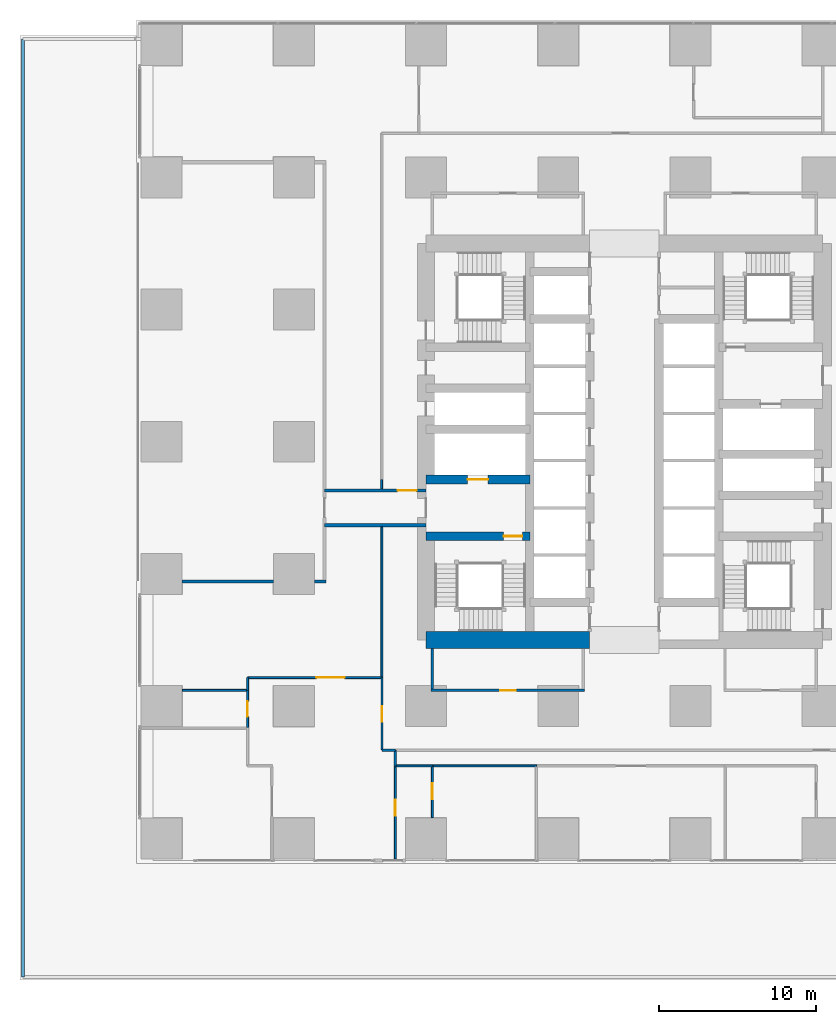
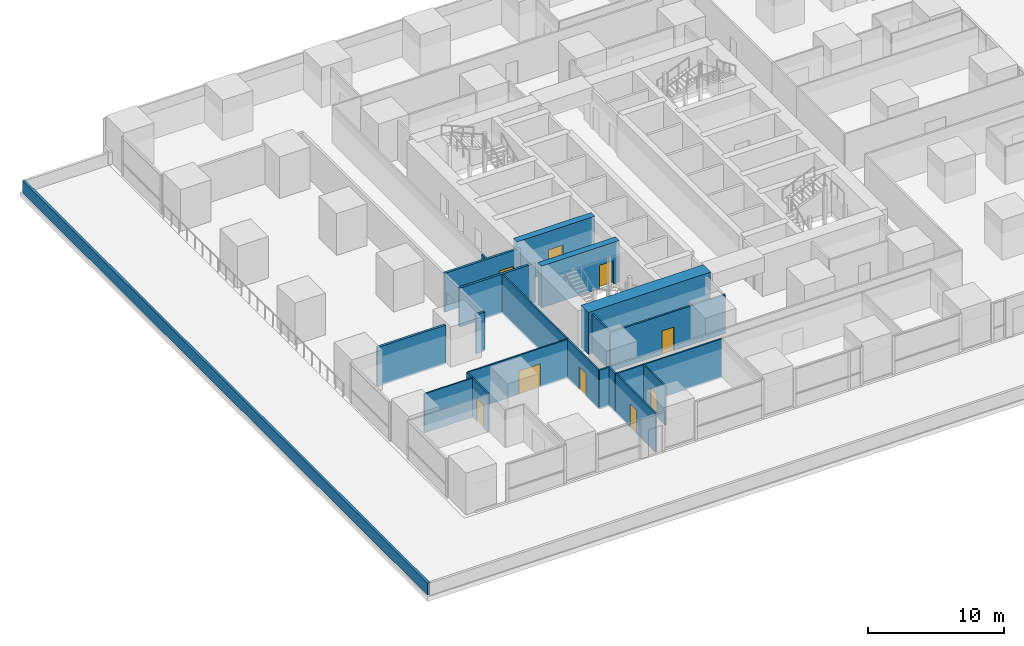
# One storey, part 20 of 35: 23 walls, 9 doors, 9 openings.
"""IFC4 building model written with IfcOpenShell, lengths in metres."""

from ifc_helpers import new_model, si_unit, direction, frame, frame_2d, origin, place, context, subcontext, project, spatial, rectangle, extrude, material, layer, layer_set, type_object, element, fill, save


model = new_model("IFC4")

# Units and contexts
model_context = context("Model", 3, precision=1e-05, world=origin(), true_north=direction((0.0, 1.0)))
body_context = subcontext(model_context, "Body", "Model", "MODEL_VIEW")
ifc_project = project(units=[si_unit("LENGTHUNIT", "METRE"), si_unit("AREAUNIT", "SQUARE_METRE"), si_unit("VOLUMEUNIT", "CUBIC_METRE"), si_unit("PLANEANGLEUNIT", "RADIAN"), si_unit("MASSUNIT", "GRAM", prefix="KILO")], contexts=[model_context])

# Site, building, storey
site_placement = place(None, origin())
site = spatial("IfcSite", under=ifc_project, at=site_placement, CompositionType="ELEMENT")
building_placement = place(site_placement, origin())
building = spatial("IfcBuilding", under=site, at=building_placement, Name="Rekha Terrace Tower", CompositionType="ELEMENT")
storey_placement = place(building_placement, frame((0.0, 0.0, 25.39990234375)))
storey = spatial("IfcBuildingStorey", under=building, at=storey_placement, Name="L05", CompositionType="ELEMENT", Elevation=25.39990234375)

# Wall, opening, door
ifc_material_1 = material(Name="Concrete M70", Category="concrete")
ifc_layer_1 = layer(ifc_material_1, 0.550048828125)
ifc_layer_set_1 = layer_set([ifc_layer_1], Name="Concrete M70")
wall_type_1 = type_object("IfcWallType", Name="CI1 550 core internal shear wall", PredefinedType="SHEAR", material=ifc_layer_set_1)
wall_1_placement = place(storey_placement, frame((25.199951171875, 27.60009765625, 0.0), z_axis=(0.0, 0.0, 1.0), x_axis=(1.0, 0.0, 0.0)))
wall_1 = element("IfcWall", 1, at=wall_1_placement, inside=storey, type_object=wall_type_1, Name="Core wall Y276W L05", PredefinedType="SHEAR", context=body_context, shape_type="SweptSolid", body=[
    extrude(rectangle(XDim=6.60009765625, YDim=0.550048828125, at=frame_2d((3.300048828125, 0.0))), origin(), (0.0, 0.0, 1.0), 3.75),
])
opening_1_placement = place(wall_1_placement, frame((4.925048828125, 0.0, 0.0)))
opening_1 = element("IfcOpeningElement", 2, at=opening_1_placement, cuts=wall_1, Name="Opening D1", PredefinedType="OPENING", context=body_context, shape_type="SweptSolid", body=[
    extrude(rectangle(XDim=1.199951171875, YDim=2.10009765625, at=frame_2d((0.60009765625, 1.050048828125))), frame((0.0, 0.284912109375, 0.0), z_axis=(0.0, -1.0, 0.0), x_axis=(1.0, 0.0, 0.0)), (0.0, 0.0, 1.0), 0.570068359375),
])
ifc_material_2 = material(Name="Steel fire door", Category="steel")
door_type_1 = type_object("IfcDoorType", Name="D1 1200x2100 stair fire door", OperationType="SINGLE_SWING_RIGHT", PredefinedType="DOOR", material=ifc_material_2)
door_1_placement = place(opening_1_placement, origin())
door_1 = element("IfcDoor", 3, at=door_1_placement, inside=storey, type_object=door_type_1, Name="Stair ST1 door L05", OperationType="SINGLE_SWING_RIGHT", OverallHeight=2.10009765625, OverallWidth=1.199951171875, PredefinedType="DOOR", context=body_context, shape_type="SweptSolid", body=[
    extrude(rectangle(XDim=1.199951171875, YDim=2.10009765625, at=frame_2d((0.60009765625, 1.050048828125))), frame((0.0, 0.02490234375, 0.0), z_axis=(0.0, -1.0, 0.0), x_axis=(1.0, 0.0, 0.0)), (0.0, 0.0, 1.0), 0.050048828125),
])
fill(opening_1, door_1)

wall_2_placement = place(storey_placement, frame((25.199951171875, 31.199951171875, 0.0), z_axis=(0.0, 0.0, 1.0), x_axis=(1.0, 0.0, 0.0)))
wall_2 = element("IfcWall", 4, at=wall_2_placement, inside=storey, type_object=wall_type_1, Name="Core wall Y312W L05", PredefinedType="SHEAR", context=body_context, shape_type="SweptSolid", body=[
    extrude(rectangle(XDim=6.60009765625, YDim=0.550048828125, at=frame_2d((3.300048828125, 0.0))), origin(), (0.0, 0.0, 1.0), 3.75),
])
opening_2_placement = place(wall_2_placement, frame((2.64990234375, 0.0, 0.0)))
opening_2 = element("IfcOpeningElement", 5, at=opening_2_placement, cuts=wall_2, Name="Opening LD2", PredefinedType="OPENING", context=body_context, shape_type="SweptSolid", body=[
    extrude(rectangle(XDim=1.300048828125, YDim=2.10009765625, at=frame_2d((0.64990234375, 1.050048828125))), frame((0.0, 0.284912109375, 0.0), z_axis=(0.0, -1.0, 0.0), x_axis=(1.0, 0.0, 0.0)), (0.0, 0.0, 1.0), 0.570068359375),
])
ifc_material_3 = material(Name="Stainless steel sliding landing door", Category="steel")
door_type_2 = type_object("IfcDoorType", Name="LD2 1300x2100 fire lift landing door", OperationType="SLIDING_TO_LEFT", PredefinedType="USERDEFINED", material=ifc_material_3)
door_2_placement = place(opening_2_placement, origin())
door_2 = element("IfcDoor", 6, at=door_2_placement, inside=storey, type_object=door_type_2, Name="Lift FL1 landing door L05", ObjectType="LIFT LANDING DOOR", OperationType="SLIDING_TO_LEFT", OverallHeight=2.10009765625, OverallWidth=1.300048828125, PredefinedType="USERDEFINED", context=body_context, shape_type="SweptSolid", body=[
    extrude(rectangle(XDim=1.300048828125, YDim=2.10009765625, at=frame_2d((0.64990234375, 1.050048828125))), frame((0.0, 0.02490234375, 0.0), z_axis=(0.0, -1.0, 0.0), x_axis=(1.0, 0.0, 0.0)), (0.0, 0.0, 1.0), 0.050048828125),
])
fill(opening_2, door_2)

# Walls
ifc_material_4 = material(Name="Concrete M40", Category="concrete")
ifc_layer_2 = layer(ifc_material_4, 0.199951171875)
ifc_layer_set_2 = layer_set([ifc_layer_2], Name="Concrete M40")
wall_type_2 = type_object("IfcWallType", Name="PP1 parapet wall 200", PredefinedType="PARAPET", material=ifc_layer_set_2)
wall_3_placement = place(storey_placement, frame((-0.39990234375, 59.199951171875, 0.0), z_axis=(0.0, 0.0, 1.0), x_axis=(0.0, -1.0, 0.0)))
element("IfcWall", 7, at=wall_3_placement, inside=storey, type_object=wall_type_2, Name="Podium roof parapet", PredefinedType="PARAPET", context=body_context, shape_type="SweptSolid", body=[
    extrude(rectangle(XDim=59.599853515625, YDim=0.199951171875, at=frame_2d((29.7998046875, 0.0))), origin(), (0.0, 0.0, 1.0), 1.10009765625),
])
ifc_layer_3 = layer(ifc_material_1, 1.10009765625)
ifc_layer_set_3 = layer_set([ifc_layer_3], Name="Concrete M70")
wall_type_3 = type_object("IfcWallType", Name="SW1 1100 core outer shear wall", PredefinedType="SHEAR", material=ifc_layer_set_3)
wall_4_placement = place(storey_placement, frame((25.199951171875, 21.0, 0.0), z_axis=(0.0, 0.0, 1.0), x_axis=(1.0, 0.0, 0.0)))
element("IfcWall", 8, at=wall_4_placement, inside=storey, type_object=wall_type_3, Name="Core wall S1 L05", PredefinedType="SHEAR", context=body_context, shape_type="SweptSolid", body=[
    extrude(rectangle(XDim=10.400146484375, YDim=1.10009765625, at=frame_2d((5.2001953125, 0.0))), origin(), (0.0, 0.0, 1.0), 3.75),
])

# Wall, opening, door
ifc_material_5 = material(Name="Concrete block masonry, 1 hour", Category="masonry")
ifc_layer_4 = layer(ifc_material_5, 0.14990234375)
ifc_layer_set_4 = layer_set([ifc_layer_4], Name="Concrete block masonry, 1 hour")
wall_type_4 = type_object("IfcWallType", Name="WP2 150 tenancy partition", PredefinedType="PARTITIONING", material=ifc_layer_set_4)
wall_5_placement = place(storey_placement, frame((25.52490234375, 17.800048828125, 0.0), z_axis=(0.0, 0.0, 1.0), x_axis=(1.0, 0.0, 0.0)))
wall_5 = element("IfcWall", 9, at=wall_5_placement, inside=storey, type_object=wall_type_4, Name="Men's WC wall L05", PredefinedType="PARTITIONING", context=body_context, shape_type="SweptSolid", body=[
    extrude(rectangle(XDim=9.75, YDim=0.14990234375, at=frame_2d((4.875, 0.0))), origin(), (0.0, 0.0, 1.0), 3.5),
])
opening_3_placement = place(wall_5_placement, frame((4.375, 0.0, 0.0)))
opening_3 = element("IfcOpeningElement", 10, at=opening_3_placement, cuts=wall_5, Name="Opening D3", PredefinedType="OPENING", context=body_context, shape_type="SweptSolid", body=[
    extrude(rectangle(XDim=1.0, YDim=2.10009765625, at=frame_2d((0.5, 1.050048828125))), frame((0.0, 0.0849609375, 0.0), z_axis=(0.0, -1.0, 0.0), x_axis=(1.0, 0.0, 0.0)), (0.0, 0.0, 1.0), 0.169921875),
])
ifc_material_6 = material(Name="Laminated timber fire door", Category="wood")
door_type_3 = type_object("IfcDoorType", Name="D3 1000x2100 WC door", OperationType="SINGLE_SWING_LEFT", PredefinedType="DOOR", material=ifc_material_6)
door_3_placement = place(opening_3_placement, origin())
door_3 = element("IfcDoor", 11, at=door_3_placement, inside=storey, type_object=door_type_3, Name="Door men's wc L05", OperationType="SINGLE_SWING_LEFT", OverallHeight=2.10009765625, OverallWidth=1.0, PredefinedType="DOOR", context=body_context, shape_type="SweptSolid", body=[
    extrude(rectangle(XDim=1.0, YDim=2.10009765625, at=frame_2d((0.5, 1.050048828125))), frame((0.0, 0.02490234375, 0.0), z_axis=(0.0, -1.0, 0.0), x_axis=(1.0, 0.0, 0.0)), (0.0, 0.0, 1.0), 0.050048828125),
])
fill(opening_3, door_3)

# Walls
wall_6_placement = place(storey_placement, frame((25.60009765625, 17.875, 0.0), z_axis=(0.0, 0.0, 1.0), x_axis=(0.0, 1.0, 0.0)))
element("IfcWall", 12, at=wall_6_placement, inside=storey, type_object=wall_type_4, Name="Men's WC wall L05", PredefinedType="PARTITIONING", context=body_context, shape_type="SweptSolid", body=[
    extrude(rectangle(XDim=2.574951171875, YDim=0.14990234375, at=frame_2d((1.28759765625, 0.0))), origin(), (0.0, 0.0, 1.0), 3.5),
])
wall_7_placement = place(storey_placement, frame((23.2509765625, 13.0, 0.0), z_axis=(0.0, 0.0, 1.0), x_axis=(0.0, 1.0, 0.0)))
element("IfcWall", 13, at=wall_7_placement, inside=storey, type_object=wall_type_4, Name="Partition L05-O1", PredefinedType="PARTITIONING", context=body_context, shape_type="SweptSolid", body=[
    extrude(rectangle(XDim=1.0, YDim=0.14990234375, at=frame_2d((0.5, 0.0))), origin(), (0.0, 0.0, 1.0), 3.5),
])

# Wall, opening, door
wall_8_placement = place(storey_placement, frame((22.39990234375, 18.618896484375, 0.0), z_axis=(0.0, 0.0, 1.0), x_axis=(0.0, -1.0, 0.0)))
wall_8 = element("IfcWall", 14, at=wall_8_placement, inside=storey, type_object=wall_type_4, Name="Partition L05-O4", PredefinedType="PARTITIONING", context=body_context, shape_type="SweptSolid", body=[
    extrude(rectangle(XDim=4.618896484375, YDim=0.14990234375, at=frame_2d((2.3095703125, 0.0))), origin(), (0.0, 0.0, 1.0), 3.5),
])
opening_4_placement = place(wall_8_placement, frame((1.80908203125, 0.0, 0.0)))
opening_4 = element("IfcOpeningElement", 15, at=opening_4_placement, cuts=wall_8, Name="Opening D9", PredefinedType="OPENING", context=body_context, shape_type="SweptSolid", body=[
    extrude(rectangle(XDim=1.0, YDim=2.10009765625, at=frame_2d((0.5, 1.050048828125))), frame((0.0, 0.0849609375, 0.0), z_axis=(0.0, -1.0, 0.0), x_axis=(1.0, 0.0, 0.0)), (0.0, 0.0, 1.0), 0.169921875),
])
ifc_material_7 = material(Name="Timber fire door", Category="wood")
door_type_4 = type_object("IfcDoorType", Name="D9 1000x2100 office door", OperationType="SINGLE_SWING_LEFT", PredefinedType="DOOR", material=ifc_material_7)
door_4_placement = place(opening_4_placement, origin())
door_4 = element("IfcDoor", 16, at=door_4_placement, inside=storey, type_object=door_type_4, Name="Door open-plan office L05", OperationType="SINGLE_SWING_LEFT", OverallHeight=2.10009765625, OverallWidth=1.0, PredefinedType="DOOR", context=body_context, shape_type="SweptSolid", body=[
    extrude(rectangle(XDim=1.0, YDim=2.10009765625, at=frame_2d((0.5, 1.050048828125))), frame((0.0, 0.02490234375, 0.0), z_axis=(0.0, -1.0, 0.0), x_axis=(1.0, 0.0, 0.0)), (0.0, 0.0, 1.0), 0.050048828125),
])
fill(opening_4, door_4)

# Walls
wall_9_placement = place(storey_placement, frame((22.39990234375, 14.0, 0.0), z_axis=(0.0, 0.0, 1.0), x_axis=(1.0, 0.0, 0.0)))
element("IfcWall", 17, at=wall_9_placement, inside=storey, type_object=wall_type_4, Name="Partition L05-O4", PredefinedType="PARTITIONING", context=body_context, shape_type="SweptSolid", body=[
    extrude(rectangle(XDim=0.85009765625, YDim=0.14990234375, at=frame_2d((0.425048828125, 0.0))), origin(), (0.0, 0.0, 1.0), 3.5),
])
ifc_material_8 = material(Name="Two layers of fire-rated gypsum board each side on steel studs, acoustic quilt, 1 hour", Category="steel")
ifc_layer_5 = layer(ifc_material_8, 0.125)
ifc_layer_set_5 = layer_set([ifc_layer_5], Name="Two layers of fire-rated gypsum board each side on steel studs, acoustic quilt, 1 hour")
wall_type_5 = type_object("IfcWallType", Name="WP3 125 office partition", PredefinedType="PARTITIONING", material=ifc_layer_set_5)
wall_10_placement = place(storey_placement, frame((23.2509765625, 13.0, 0.0), z_axis=(0.0, 0.0, 1.0), x_axis=(1.0, 0.0, 0.0)))
element("IfcWall", 18, at=wall_10_placement, inside=storey, type_object=wall_type_5, Name="Partition L05-07", PredefinedType="PARTITIONING", context=body_context, shape_type="SweptSolid", body=[
    extrude(rectangle(XDim=2.34814453125, YDim=0.125, at=frame_2d((1.174072265625, 0.0))), origin(), (0.0, 0.0, 1.0), 3.5),
])

# Wall, opening, door
wall_11_placement = place(storey_placement, frame((25.59912109375, 13.0, 0.0), z_axis=(0.0, 0.0, 1.0), x_axis=(0.0, -1.0, 0.0)))
wall_11 = element("IfcWall", 19, at=wall_11_placement, inside=storey, type_object=wall_type_5, Name="Partition L05-07", PredefinedType="PARTITIONING", context=body_context, shape_type="SweptSolid", body=[
    extrude(rectangle(XDim=3.280029296875, YDim=0.125, at=frame_2d((1.64013671875, 0.0))), origin(), (0.0, 0.0, 1.0), 3.5),
])
opening_5_placement = place(wall_11_placement, frame((1.10498046875, 0.0, 0.0)))
opening_5 = element("IfcOpeningElement", 20, at=opening_5_placement, cuts=wall_11, Name="Opening D9", PredefinedType="OPENING", context=body_context, shape_type="SweptSolid", body=[
    extrude(rectangle(XDim=1.0, YDim=2.10009765625, at=frame_2d((0.5, 1.050048828125))), frame((0.0, 0.072509765625, 0.0), z_axis=(0.0, -1.0, 0.0), x_axis=(1.0, 0.0, 0.0)), (0.0, 0.0, 1.0), 0.14501953125),
])
door_5_placement = place(opening_5_placement, origin())
door_5 = element("IfcDoor", 21, at=door_5_placement, inside=storey, type_object=door_type_4, Name="Door training and meeting room L05", OperationType="SINGLE_SWING_LEFT", OverallHeight=2.10009765625, OverallWidth=1.0, PredefinedType="DOOR", context=body_context, shape_type="SweptSolid", body=[
    extrude(rectangle(XDim=1.0, YDim=2.10009765625, at=frame_2d((0.5, 1.050048828125))), frame((0.0, 0.02490234375, 0.0), z_axis=(0.0, -1.0, 0.0), x_axis=(1.0, 0.0, 0.0)), (0.0, 0.0, 1.0), 0.050048828125),
])
fill(opening_5, door_5)

wall_12_placement = place(storey_placement, frame((23.2509765625, 7.10009765625, 0.0), z_axis=(0.0, 0.0, 1.0), x_axis=(0.0, 1.0, 0.0)))
wall_12 = element("IfcWall", 22, at=wall_12_placement, inside=storey, type_object=wall_type_5, Name="Partition L05-07", PredefinedType="PARTITIONING", context=body_context, shape_type="SweptSolid", body=[
    extrude(rectangle(XDim=5.89990234375, YDim=0.125, at=frame_2d((2.949951171875, 0.0))), origin(), (0.0, 0.0, 1.0), 3.5),
])
opening_6_placement = place(wall_12_placement, frame((2.739990234375, 0.0, 0.0)))
opening_6 = element("IfcOpeningElement", 23, at=opening_6_placement, cuts=wall_12, Name="Opening D9", PredefinedType="OPENING", context=body_context, shape_type="SweptSolid", body=[
    extrude(rectangle(XDim=1.0, YDim=2.10009765625, at=frame_2d((0.5, 1.050048828125))), frame((0.0, 0.072509765625, 0.0), z_axis=(0.0, -1.0, 0.0), x_axis=(1.0, 0.0, 0.0)), (0.0, 0.0, 1.0), 0.14501953125),
])
door_6_placement = place(opening_6_placement, origin())
door_6 = element("IfcDoor", 24, at=door_6_placement, inside=storey, type_object=door_type_4, Name="Door quiet room L05", OperationType="SINGLE_SWING_LEFT", OverallHeight=2.10009765625, OverallWidth=1.0, PredefinedType="DOOR", context=body_context, shape_type="SweptSolid", body=[
    extrude(rectangle(XDim=1.0, YDim=2.10009765625, at=frame_2d((0.5, 1.050048828125))), frame((0.0, 0.02490234375, 0.0), z_axis=(0.0, -1.0, 0.0), x_axis=(1.0, 0.0, 0.0)), (0.0, 0.0, 1.0), 0.050048828125),
])
fill(opening_6, door_6)

# Walls
wall_13_placement = place(storey_placement, frame((25.60009765625, 13.0, 0.0), z_axis=(0.0, 0.0, 1.0), x_axis=(1.0, 0.0, 0.0)))
element("IfcWall", 25, at=wall_13_placement, inside=storey, type_object=wall_type_5, Name="Partition L05-08", PredefinedType="PARTITIONING", context=body_context, shape_type="SweptSolid", body=[
    extrude(rectangle(XDim=6.6337890625, YDim=0.125, at=frame_2d((3.31689453125, 0.0))), origin(), (0.0, 0.0, 1.0), 3.5),
])
wall_14_placement = place(storey_placement, frame((22.375, 31.199951171875, 0.0), z_axis=(0.0, 0.0, 1.0), x_axis=(0.0, -1.0, 0.0)))
element("IfcWall", 26, at=wall_14_placement, inside=storey, type_object=wall_type_5, Name="Partition L05-15", PredefinedType="PARTITIONING", context=body_context, shape_type="SweptSolid", body=[
    extrude(rectangle(XDim=0.5888671875, YDim=0.125, at=frame_2d((0.29443359375, 0.0))), origin(), (0.0, 0.0, 1.0), 3.5),
])
wall_15_placement = place(storey_placement, frame((13.860107421875, 17.801025390625, 0.0), z_axis=(0.0, 0.0, 1.0), x_axis=(-1.0, 0.0, 0.0)))
element("IfcWall", 27, at=wall_15_placement, inside=storey, type_object=wall_type_5, Name="Partition L05-16", PredefinedType="PARTITIONING", context=body_context, shape_type="SweptSolid", body=[
    extrude(rectangle(XDim=4.14013671875, YDim=0.125, at=frame_2d((2.070068359375, 0.0))), origin(), (0.0, 0.0, 1.0), 3.5),
])
wall_16_placement = place(storey_placement, frame((22.39990234375, 28.18896484375, 0.0), z_axis=(0.0, 0.0, 1.0), x_axis=(0.0, -1.0, 0.0)))
element("IfcWall", 28, at=wall_16_placement, inside=storey, type_object=wall_type_5, Name="Partition L05-16", PredefinedType="PARTITIONING", context=body_context, shape_type="SweptSolid", body=[
    extrude(rectangle(XDim=9.570068359375, YDim=0.125, at=frame_2d((4.78515625, 0.0))), origin(), (0.0, 0.0, 1.0), 3.5),
])

# Wall, opening, door
wall_17_placement = place(storey_placement, frame((22.39990234375, 18.618896484375, 0.0), z_axis=(0.0, 0.0, 1.0), x_axis=(-1.0, 0.0, 0.0)))
wall_17 = element("IfcWall", 29, at=wall_17_placement, inside=storey, type_object=wall_type_5, Name="Partition L05-16", PredefinedType="PARTITIONING", context=body_context, shape_type="SweptSolid", body=[
    extrude(rectangle(XDim=8.539794921875, YDim=0.125, at=frame_2d((4.27001953125, 0.0))), origin(), (0.0, 0.0, 1.0), 3.5),
])
opening_7_placement = place(wall_17_placement, frame((2.3701171875, 0.0, 0.0)))
opening_7 = element("IfcOpeningElement", 30, at=opening_7_placement, cuts=wall_17, Name="Opening D8", PredefinedType="OPENING", context=body_context, shape_type="SweptSolid", body=[
    extrude(rectangle(XDim=1.800048828125, YDim=2.10009765625, at=frame_2d((0.89990234375, 1.050048828125))), frame((0.0, 0.072509765625, 0.0), z_axis=(0.0, -1.0, 0.0), x_axis=(1.0, 0.0, 0.0)), (0.0, 0.0, 1.0), 0.14501953125),
])
door_type_5 = type_object("IfcDoorType", Name="D8 1800x2100 double leaf door", OperationType="DOUBLE_DOOR_SINGLE_SWING", PredefinedType="DOOR", material=ifc_material_7)
door_7_placement = place(opening_7_placement, origin())
door_7 = element("IfcDoor", 31, at=door_7_placement, inside=storey, type_object=door_type_5, Name="Door business lounge L05", OperationType="DOUBLE_DOOR_SINGLE_SWING", OverallHeight=2.10009765625, OverallWidth=1.800048828125, PredefinedType="DOOR", context=body_context, shape_type="SweptSolid", body=[
    extrude(rectangle(XDim=1.800048828125, YDim=2.10009765625, at=frame_2d((0.89990234375, 1.050048828125))), frame((0.0, 0.02490234375, 0.0), z_axis=(0.0, -1.0, 0.0), x_axis=(1.0, 0.0, 0.0)), (0.0, 0.0, 1.0), 0.050048828125),
])
fill(opening_7, door_7)

# Wall
wall_18_placement = place(storey_placement, frame((13.860107421875, 18.618896484375, 0.0), z_axis=(0.0, 0.0, 1.0), x_axis=(0.0, -1.0, 0.0)))
element("IfcWall", 32, at=wall_18_placement, inside=storey, type_object=wall_type_5, Name="Partition L05-16", PredefinedType="PARTITIONING", context=body_context, shape_type="SweptSolid", body=[
    extrude(rectangle(XDim=0.81787109375, YDim=0.125, at=frame_2d((0.408935546875, 0.0))), origin(), (0.0, 0.0, 1.0), 3.5),
])

# Wall, opening, door
wall_19_placement = place(storey_placement, frame((13.860107421875, 17.800048828125, 0.0), z_axis=(0.0, 0.0, 1.0), x_axis=(0.0, -1.0, 0.0)))
wall_19 = element("IfcWall", 33, at=wall_19_placement, inside=storey, type_object=wall_type_5, Name="Partition L05-17", PredefinedType="PARTITIONING", context=body_context, shape_type="SweptSolid", body=[
    extrude(rectangle(XDim=2.35205078125, YDim=0.125, at=frame_2d((1.176025390625, 0.0))), origin(), (0.0, 0.0, 1.0), 3.5),
])
opening_8_placement = place(wall_19_placement, frame((0.676025390625, 0.0, 0.0)))
opening_8 = element("IfcOpeningElement", 34, at=opening_8_placement, cuts=wall_19, Name="Opening D9", PredefinedType="OPENING", context=body_context, shape_type="SweptSolid", body=[
    extrude(rectangle(XDim=1.0, YDim=2.10009765625, at=frame_2d((0.5, 1.050048828125))), frame((0.0, 0.072509765625, 0.0), z_axis=(0.0, -1.0, 0.0), x_axis=(1.0, 0.0, 0.0)), (0.0, 0.0, 1.0), 0.14501953125),
])
door_8_placement = place(opening_8_placement, origin())
door_8 = element("IfcDoor", 35, at=door_8_placement, inside=storey, type_object=door_type_4, Name="Door pantry L05", OperationType="SINGLE_SWING_LEFT", OverallHeight=2.10009765625, OverallWidth=1.0, PredefinedType="DOOR", context=body_context, shape_type="SweptSolid", body=[
    extrude(rectangle(XDim=1.0, YDim=2.10009765625, at=frame_2d((0.5, 1.050048828125))), frame((0.0, 0.02490234375, 0.0), z_axis=(0.0, -1.0, 0.0), x_axis=(1.0, 0.0, 0.0)), (0.0, 0.0, 1.0), 0.050048828125),
])
fill(opening_8, door_8)

# Walls
ifc_material_9 = material(Name="Solid concrete block masonry, 2 hour", Category="masonry")
ifc_layer_6 = layer(ifc_material_9, 0.199951171875)
ifc_layer_set_6 = layer_set([ifc_layer_6], Name="Solid concrete block masonry, 2 hour")
wall_type_6 = type_object("IfcWallType", Name="WS1 200 stair and shaft enclosure", PredefinedType="PARTITIONING", material=ifc_layer_set_6)
wall_20_placement = place(storey_placement, frame((9.699951171875, 24.719970703125, 0.0), z_axis=(0.0, 0.0, 1.0), x_axis=(1.0, 0.0, 0.0)))
element("IfcWall", 36, at=wall_20_placement, inside=storey, type_object=wall_type_6, Name="Refuge area south wall L05", PredefinedType="PARTITIONING", context=body_context, shape_type="SweptSolid", body=[
    extrude(rectangle(XDim=5.800048828125, YDim=0.199951171875, at=frame_2d((2.89990234375, 0.0))), origin(), (0.0, 0.0, 1.0), 3.5),
])
wall_21_placement = place(storey_placement, frame((18.10009765625, 24.719970703125, 0.0), z_axis=(0.0, 0.0, 1.0), x_axis=(1.0, 0.0, 0.0)))
element("IfcWall", 37, at=wall_21_placement, inside=storey, type_object=wall_type_6, Name="Refuge area south wall L05", PredefinedType="PARTITIONING", context=body_context, shape_type="SweptSolid", body=[
    extrude(rectangle(XDim=0.75, YDim=0.199951171875, at=frame_2d((0.375, 0.0))), origin(), (0.0, 0.0, 1.0), 3.5),
])

# Wall, opening, door
wall_22_placement = place(storey_placement, frame((18.75, 30.5, 0.0), z_axis=(0.0, 0.0, 1.0), x_axis=(1.0, 0.0, 0.0)))
wall_22 = element("IfcWall", 38, at=wall_22_placement, inside=storey, type_object=wall_type_6, Name="Refuge corridor north wall L05", PredefinedType="PARTITIONING", context=body_context, shape_type="SweptSolid", body=[
    extrude(rectangle(XDim=6.449951171875, YDim=0.199951171875, at=frame_2d((3.22509765625, 0.0))), origin(), (0.0, 0.0, 1.0), 3.5),
])
opening_9_placement = place(wall_22_placement, frame((4.64990234375, 0.0, 0.0)))
opening_9 = element("IfcOpeningElement", 39, at=opening_9_placement, cuts=wall_22, Name="Opening D2", PredefinedType="OPENING", context=body_context, shape_type="SweptSolid", body=[
    extrude(rectangle(XDim=1.199951171875, YDim=2.10009765625, at=frame_2d((0.60009765625, 1.050048828125))), frame((0.0, 0.10986328125, 0.0), z_axis=(0.0, -1.0, 0.0), x_axis=(1.0, 0.0, 0.0)), (0.0, 0.0, 1.0), 0.219970703125),
])
door_type_6 = type_object("IfcDoorType", Name="D2 1200x2100 firefighting lobby door", OperationType="SINGLE_SWING_LEFT", PredefinedType="DOOR", material=ifc_material_2)
door_9_placement = place(opening_9_placement, origin())
door_9 = element("IfcDoor", 40, at=door_9_placement, inside=storey, type_object=door_type_6, Name="Refuge corridor door L05", OperationType="SINGLE_SWING_LEFT", OverallHeight=2.10009765625, OverallWidth=1.199951171875, PredefinedType="DOOR", context=body_context, shape_type="SweptSolid", body=[
    extrude(rectangle(XDim=1.199951171875, YDim=2.10009765625, at=frame_2d((0.60009765625, 1.050048828125))), frame((0.0, 0.02490234375, 0.0), z_axis=(0.0, -1.0, 0.0), x_axis=(1.0, 0.0, 0.0)), (0.0, 0.0, 1.0), 0.050048828125),
])
fill(opening_9, door_9)

# Wall
wall_23_placement = place(storey_placement, frame((18.75, 28.300048828125, 0.0), z_axis=(0.0, 0.0, 1.0), x_axis=(1.0, 0.0, 0.0)))
element("IfcWall", 41, at=wall_23_placement, inside=storey, type_object=wall_type_6, Name="Refuge corridor south wall L05", PredefinedType="PARTITIONING", context=body_context, shape_type="SweptSolid", body=[
    extrude(rectangle(XDim=6.449951171875, YDim=0.199951171875, at=frame_2d((3.22509765625, 0.0))), origin(), (0.0, 0.0, 1.0), 3.5),
])

save(model, "model.ifc")
